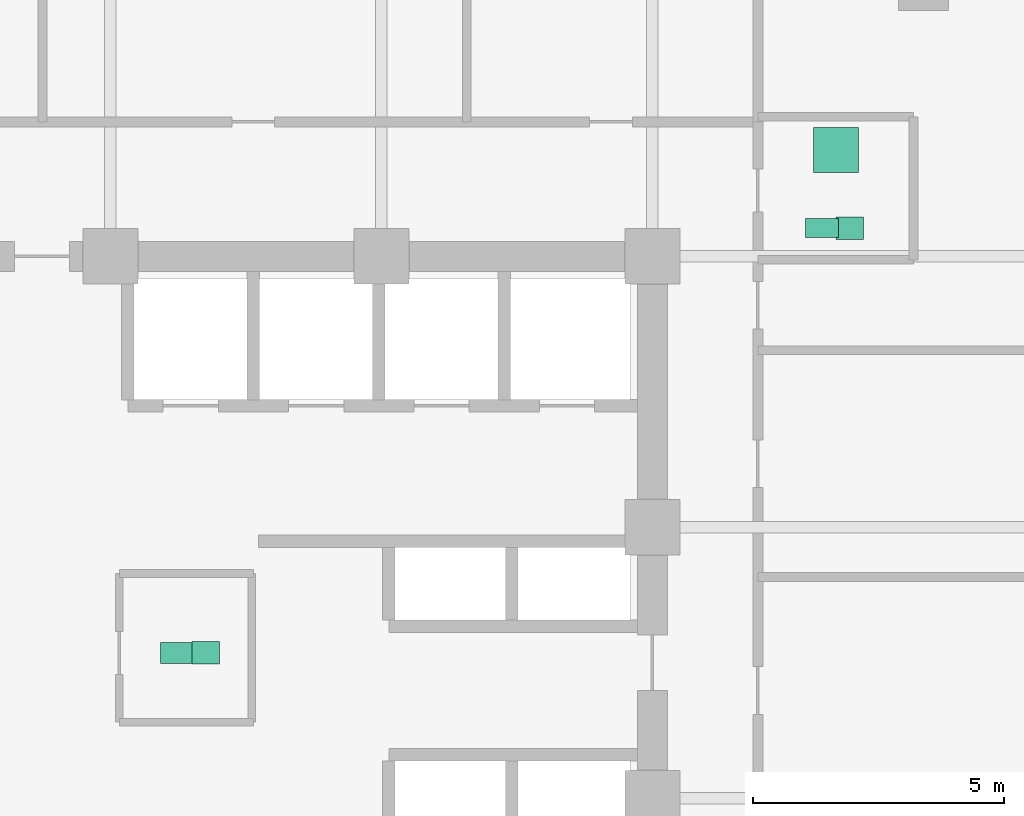
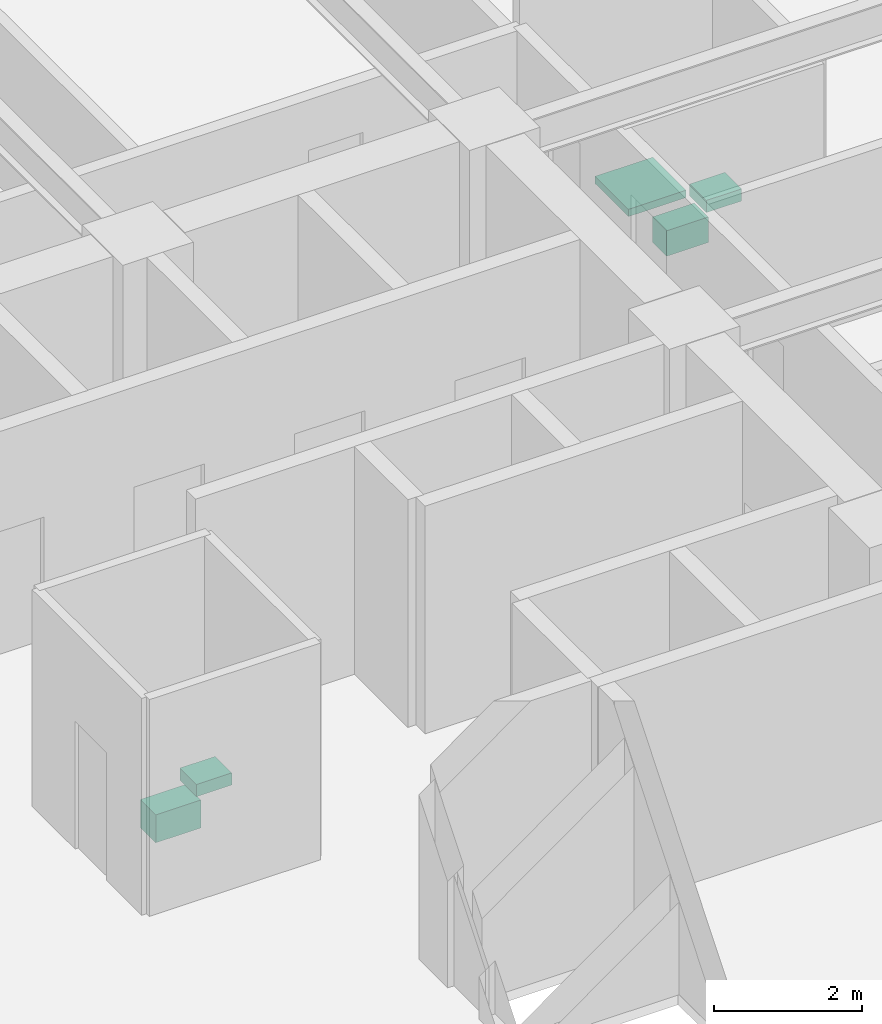
# One storey, part 26 of 26: 5 sanitary terminals.
"""IFC4 building model written with IfcOpenShell, lengths in metres."""

from ifc_helpers import new_model, si_unit, direction, frame, origin, origin_2d, place, context, subcontext, project, spatial, rectangle, extrude, material, type_object, element, save


model = new_model("IFC4")

# Units and contexts
model_context = context("Model", 3, precision=1e-05, world=origin(), true_north=direction((0.0, 1.0)))
body_context = subcontext(model_context, "Body", "Model", "MODEL_VIEW")
ifc_project = project(units=[si_unit("LENGTHUNIT", "METRE"), si_unit("AREAUNIT", "SQUARE_METRE"), si_unit("VOLUMEUNIT", "CUBIC_METRE"), si_unit("PLANEANGLEUNIT", "RADIAN"), si_unit("MASSUNIT", "GRAM", prefix="KILO")], contexts=[model_context])

# Site, building, storey
site_placement = place(None, origin())
site = spatial("IfcSite", under=ifc_project, at=site_placement, CompositionType="ELEMENT")
building_placement = place(site_placement, origin())
building = spatial("IfcBuilding", under=site, at=building_placement, Name="Surkhivell Harbour Commons", CompositionType="ELEMENT")
storey_placement = place(building_placement, frame((0.0, 0.0, 147.0)))
storey = spatial("IfcBuildingStorey", under=building, at=storey_placement, Name="L38", CompositionType="ELEMENT", Elevation=147.0)

# Sanitary terminals
ifc_material_1 = material(Name="Vitreous china washbasin", Category="other")
sanitary_terminal_type_1 = type_object("IfcSanitaryTerminalType", Name="SAN-BSN", PredefinedType="WASHHANDBASIN", material=ifc_material_1)
for number, where, z_axis, x_axis, name in (
    (1, (1.89990234375, 2.89990234375, 0.72021484375), (0.0, 0.0, 1.0), (1.0, 0.0, 0.0), "L38 Core Accessible WC Washbasin"),
    (2, (14.72998046875, 11.360107421875, 0.72021484375), (0.0, 0.0, 1.0), (1.0, 0.0, 0.0), "L38 East Communal Bathroom WC Washbasin"),
):
    element("IfcSanitaryTerminal", number, at=place(storey_placement, frame(where, z_axis=z_axis, x_axis=x_axis)), inside=storey, type_object=sanitary_terminal_type_1, Name=name, PredefinedType="WASHHANDBASIN", context=body_context, shape_type="SweptSolid", body=[
        extrude(rectangle(XDim=0.550048828125, YDim=0.449951171875, at=origin_2d()), origin(), (0.0, 0.0, 1.0), 0.199951171875),
    ])
ifc_material_2 = material(Name="Glazed porcelain shower tray", Category="other")
sanitary_terminal_type_2 = type_object("IfcSanitaryTerminalType", Name="SAN-SHW", PredefinedType="SHOWER", material=ifc_material_2)
sanitary_terminal_1_placement = place(storey_placement, frame((14.4599609375, 12.919921875, 0.0), z_axis=(0.0, 0.0, 1.0), x_axis=(1.0, 0.0, 0.0)))
element("IfcSanitaryTerminal", 3, at=sanitary_terminal_1_placement, inside=storey, type_object=sanitary_terminal_type_2, Name="L38 East Communal Shower Tray", PredefinedType="SHOWER", context=body_context, shape_type="SweptSolid", body=[
    extrude(rectangle(XDim=0.89990234375, YDim=0.89990234375, at=origin_2d()), origin(), (0.0, 0.0, 1.0), 0.1201171875),
])
ifc_material_3 = material(Name="Vitreous china sanitaryware", Category="other")
sanitary_terminal_type_3 = type_object("IfcSanitaryTerminalType", Name="SAN-WC-ACC", PredefinedType="TOILETPAN", material=ifc_material_3)
sanitary_terminal_2_placement = place(storey_placement, frame((1.35009765625, 2.89990234375, 0.169921875), z_axis=(0.0, 0.0, 1.0), x_axis=(1.0, 0.0, 0.0)))
element("IfcSanitaryTerminal", 4, at=sanitary_terminal_2_placement, inside=storey, type_object=sanitary_terminal_type_3, Name="L38 Core Accessible WC", PredefinedType="TOILETPAN", context=body_context, shape_type="SweptSolid", body=[
    extrude(rectangle(XDim=0.699951171875, YDim=0.419921875, at=origin_2d()), origin(), (0.0, 0.0, 1.0), 0.4599609375),
])
sanitary_terminal_type_4 = type_object("IfcSanitaryTerminalType", Name="SAN-WC-STD", PredefinedType="TOILETPAN", material=ifc_material_3)
sanitary_terminal_3_placement = place(storey_placement, frame((14.179931640625, 11.360107421875, 0.18994140625), z_axis=(0.0, 0.0, 1.0), x_axis=(1.0, 0.0, 0.0)))
element("IfcSanitaryTerminal", 5, at=sanitary_terminal_3_placement, inside=storey, type_object=sanitary_terminal_type_4, Name="L38 East Communal Bathroom WC", PredefinedType="TOILETPAN", context=body_context, shape_type="SweptSolid", body=[
    extrude(rectangle(XDim=0.64990234375, YDim=0.3798828125, at=origin_2d()), origin(), (0.0, 0.0, 1.0), 0.419921875),
])

save(model, "model.ifc")
